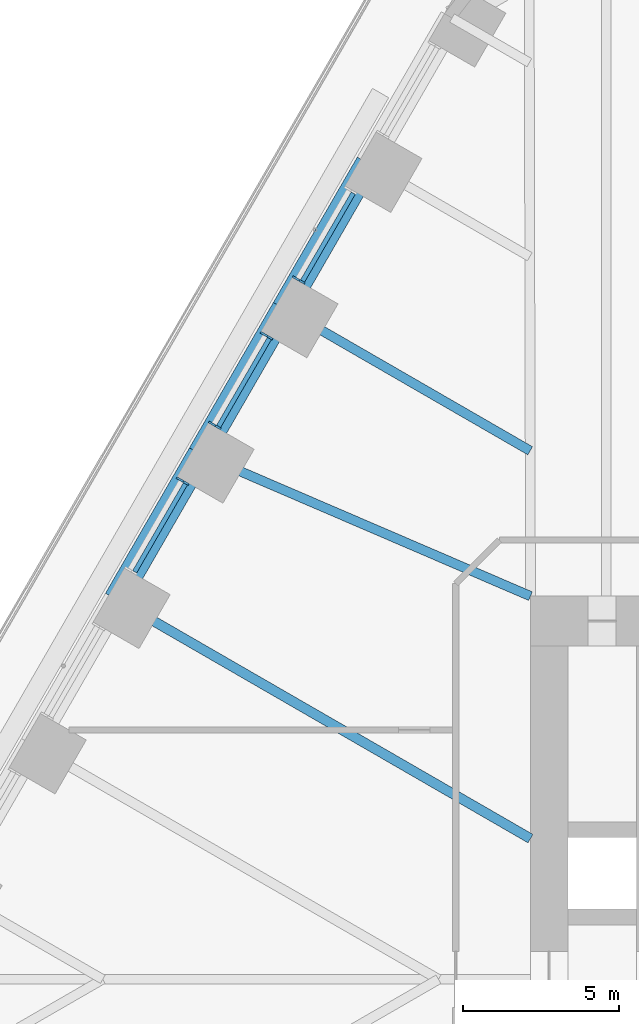
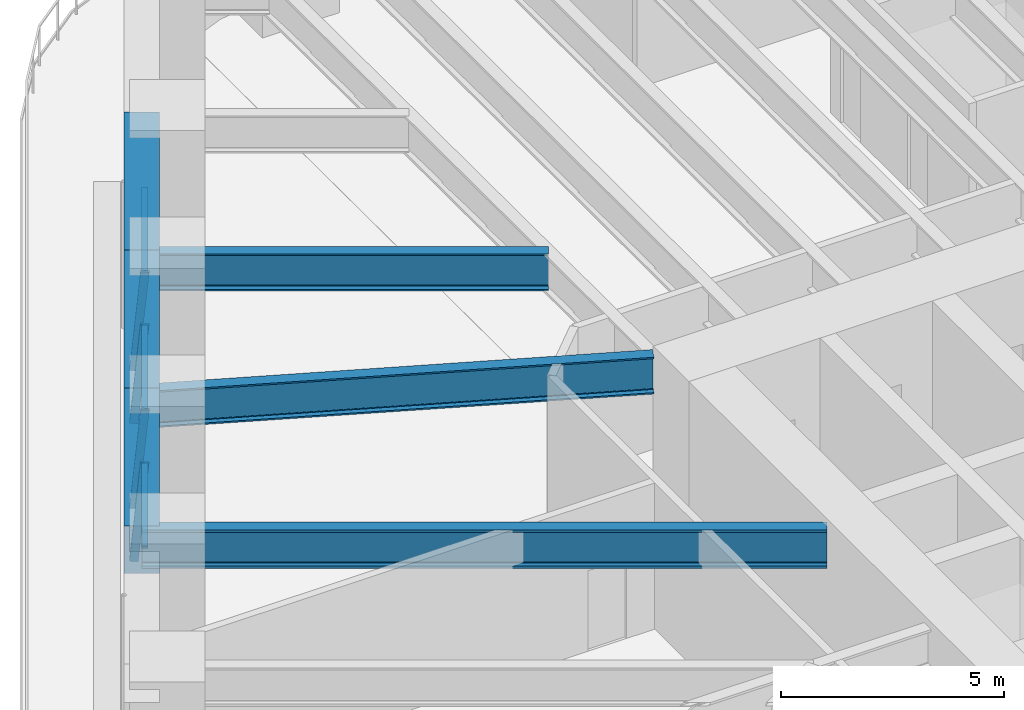
# One storey, part 8 of 24: 7 members, 6 beams, 3 elements without a shape of their own.
"""IFC4 building model written with IfcOpenShell, lengths in metres."""

from ifc_helpers import new_model, si_unit, direction, frame, origin, origin_2d, place, context, subcontext, project, spatial, rectangle, i_section, extrude, material, material_profile, profile_set, type_object, element, aggregate, save


model = new_model("IFC4")

# Units and contexts
model_context = context("Model", 3, precision=1e-05, world=origin(), true_north=direction((0.0, 1.0)))
body_context = subcontext(model_context, "Body", "Model", "MODEL_VIEW")
ifc_project = project(units=[si_unit("LENGTHUNIT", "METRE"), si_unit("AREAUNIT", "SQUARE_METRE"), si_unit("VOLUMEUNIT", "CUBIC_METRE"), si_unit("PLANEANGLEUNIT", "RADIAN"), si_unit("MASSUNIT", "GRAM", prefix="KILO")], contexts=[model_context])

# Site, building, storey
site_placement = place(None, origin())
site = spatial("IfcSite", under=ifc_project, at=site_placement, CompositionType="ELEMENT")
building_placement = place(site_placement, origin())
building = spatial("IfcBuilding", under=site, at=building_placement, Name="Tarfa Lantern Tower", CompositionType="ELEMENT")
storey_placement = place(building_placement, frame((0.0, 0.0, 73.89990234375)))
storey = spatial("IfcBuildingStorey", under=building, at=storey_placement, Name="L16", CompositionType="ELEMENT", Elevation=73.89990234375)

# Curtain wall, member
ifc_material_1 = material(Name="Aluminium framed curtain wall", Category="aluminium")
curtain_wall_type = type_object("IfcCurtainWallType", Name="CW1 CANTED GLAZING LOW ZONE 2700", PredefinedType="USERDEFINED", material=ifc_material_1)
curtain_wall_1_placement = place(storey_placement, origin())
curtain_wall_1 = element("IfcCurtainWall", 1, at=curtain_wall_1_placement, inside=storey, type_object=curtain_wall_type, Name="CW1 NW L16", ObjectType="CURTAIN WALL", PredefinedType="USERDEFINED")
ifc_material_2 = material(Name="Aluminium mullion", Category="aluminium")
ifc_material_profile_1 = material_profile(ifc_material_2, rectangle(XDim=0.06494140625, YDim=0.199951171875, at=origin_2d()), Name="AL MULLION 65x200")
ifc_profile_set_1 = profile_set([ifc_material_profile_1], Name="Aluminium mullion")
member_type_1 = type_object("IfcMemberType", Name="CWM1 MULLION 65x200", PredefinedType="MULLION", material=ifc_profile_set_1)
member_1_placement = place(storey_placement, frame((-26.147705078125, 22.5107421875, 0.0), z_axis=(0.079857261722, -0.046095736191, 0.995739926314), x_axis=(0.499919672301, 0.866071776036, 0.0)))
member_1 = element("IfcMember", 2, at=member_1_placement, type_object=member_type_1, Name="CW1 mullion 2", PredefinedType="MULLION", context=body_context, shape_type="SweptSolid", body=[
    extrude(rectangle(XDim=0.06494140625, YDim=0.199951171875, at=origin_2d()), origin(), (0.0, 0.0, 1.0), 2.711669921875),
])

# Curtain wall, members
curtain_wall_2_placement = place(storey_placement, origin())
curtain_wall_2 = element("IfcCurtainWall", 3, at=curtain_wall_2_placement, inside=storey, type_object=curtain_wall_type, Name="CW1 NW L16", ObjectType="CURTAIN WALL", PredefinedType="USERDEFINED")
member_2_placement = place(storey_placement, frame((-27.18017578125, 20.722412109375, 0.0), z_axis=(0.079857261722, -0.046095736191, 0.995739926314), x_axis=(0.499919672301, 0.866071776036, 0.0)))
member_2 = element("IfcMember", 4, at=member_2_placement, type_object=member_type_1, Name="CW1 mullion 1", PredefinedType="MULLION", context=body_context, shape_type="SweptSolid", body=[
    extrude(rectangle(XDim=0.06494140625, YDim=0.199951171875, at=origin_2d()), origin(), (0.0, 0.0, 1.0), 2.711669921875),
])
member_3_placement = place(storey_placement, frame((-28.842041015625, 17.84423828125, 0.0), z_axis=(0.079857261722, -0.046095736191, 0.995739926314), x_axis=(0.499919672301, 0.866071776036, 0.0)))
member_3 = element("IfcMember", 5, at=member_3_placement, type_object=member_type_1, Name="CW1 mullion 2", PredefinedType="MULLION", context=body_context, shape_type="SweptSolid", body=[
    extrude(rectangle(XDim=0.06494140625, YDim=0.199951171875, at=origin_2d()), origin(), (0.0, 0.0, 1.0), 2.711669921875),
])

# Curtain wall, member
curtain_wall_3_placement = place(storey_placement, origin())
curtain_wall_3 = element("IfcCurtainWall", 6, at=curtain_wall_3_placement, inside=storey, type_object=curtain_wall_type, Name="CW1 NW L16", ObjectType="CURTAIN WALL", PredefinedType="USERDEFINED")
member_4_placement = place(storey_placement, frame((-29.87451171875, 16.055908203125, 0.0), z_axis=(0.079857261722, -0.046095736191, 0.995739926314), x_axis=(0.499919672301, 0.866071776036, 0.0)))
member_4 = element("IfcMember", 7, at=member_4_placement, type_object=member_type_1, Name="CW1 mullion 1", PredefinedType="MULLION", context=body_context, shape_type="SweptSolid", body=[
    extrude(rectangle(XDim=0.06494140625, YDim=0.199951171875, at=origin_2d()), origin(), (0.0, 0.0, 1.0), 2.711669921875),
])

# Member
ifc_material_3 = material(Name="Aluminium transom", Category="aluminium")
ifc_material_profile_2 = material_profile(ifc_material_3, rectangle(XDim=0.14990234375, YDim=0.06494140625, at=origin_2d()), Name="AL TRANSOM 150x65")
ifc_profile_set_2 = profile_set([ifc_material_profile_2], Name="Aluminium transom")
member_type_2 = type_object("IfcMemberType", Name="CWT1 TRANSOM 150x65", PredefinedType="USERDEFINED", material=ifc_profile_set_2)
member_5_placement = place(storey_placement, frame((-24.288330078125, 25.237548828125, 2.66748046875), z_axis=(-0.499966746847, -0.86604460165, 0.0), x_axis=(0.86604460165, -0.499966746847, 0.0)))
member_5 = element("IfcMember", 8, at=member_5_placement, type_object=member_type_2, Name="CW1 transom 1.2", ObjectType="TRANSOM", PredefinedType="USERDEFINED", context=body_context, shape_type="SweptSolid", body=[
    extrude(rectangle(XDim=0.14990234375, YDim=0.06494140625, at=origin_2d()), origin(), (0.0, 0.0, 1.0), 3.258544921875),
])

aggregate(curtain_wall_1, [member_1, member_5])

member_6_placement = place(storey_placement, frame((-26.982666015625, 20.57080078125, 2.66748046875), z_axis=(-0.499966746847, -0.86604460165, 0.0), x_axis=(0.86604460165, -0.499966746847, 0.0)))
member_6 = element("IfcMember", 9, at=member_6_placement, type_object=member_type_2, Name="CW1 transom 1.2", ObjectType="TRANSOM", PredefinedType="USERDEFINED", context=body_context, shape_type="SweptSolid", body=[
    extrude(rectangle(XDim=0.14990234375, YDim=0.06494140625, at=origin_2d()), origin(), (0.0, 0.0, 1.0), 3.258544921875),
])

aggregate(curtain_wall_2, [member_2, member_3, member_6])

member_7_placement = place(storey_placement, frame((-29.6767578125, 15.904296875, 2.66748046875), z_axis=(-0.500022939057, -0.866012159509, 0.0), x_axis=(0.866012159509, -0.500022939057, 0.0)))
member_7 = element("IfcMember", 10, at=member_7_placement, type_object=member_type_2, Name="CW1 transom 1.2", ObjectType="TRANSOM", PredefinedType="USERDEFINED", context=body_context, shape_type="SweptSolid", body=[
    extrude(rectangle(XDim=0.14990234375, YDim=0.06494140625, at=origin_2d()), origin(), (0.0, 0.0, 1.0), 3.258544921875),
])

aggregate(curtain_wall_3, [member_4, member_7])

# Beams
ifc_material_4 = material(Name="Concrete C80/95", Category="concrete")
ifc_material_profile_3 = material_profile(ifc_material_4, rectangle(XDim=0.800048828125, YDim=1.300048828125, at=origin_2d()), Name="RC 800x1300")
ifc_profile_set_3 = profile_set([ifc_material_profile_3], Name="Concrete C80/95")
beam_type_1 = type_object("IfcBeamType", Name="EB1 RC 800x1300", PredefinedType="SPANDREL", material=ifc_profile_set_3)
beam_1_placement = place(storey_placement, frame((-23.813720703125, 26.193359375, 3.35009765625), z_axis=(-0.499998287579, -0.866026392449, 0.0), x_axis=(0.866026392449, -0.499998287579, 0.0)))
element("IfcBeam", 11, at=beam_1_placement, inside=storey, type_object=beam_type_1, Name="Edge beam NW1", PredefinedType="SPANDREL", context=body_context, shape_type="SweptSolid", body=[
    extrude(rectangle(XDim=0.800048828125, YDim=1.300048828125, at=origin_2d()), origin(), (0.0, 0.0, 1.0), 5.388671875),
])
beam_2_placement = place(storey_placement, frame((-26.508056640625, 21.526611328125, 3.35009765625), z_axis=(-0.500017906299, -0.866015065331, 0.0), x_axis=(0.866015065331, -0.500017906299, 0.0)))
element("IfcBeam", 12, at=beam_2_placement, inside=storey, type_object=beam_type_1, Name="Edge beam NW2", PredefinedType="SPANDREL", context=body_context, shape_type="SweptSolid", body=[
    extrude(rectangle(XDim=0.800048828125, YDim=1.300048828125, at=origin_2d()), origin(), (0.0, 0.0, 1.0), 5.388427734375),
])
beam_3_placement = place(storey_placement, frame((-29.202392578125, 16.860107421875, 3.35009765625), z_axis=(-0.499998287579, -0.866026392449, 0.0), x_axis=(0.866026392449, -0.499998287579, 0.0)))
element("IfcBeam", 13, at=beam_3_placement, inside=storey, type_object=beam_type_1, Name="Edge beam NW3", PredefinedType="SPANDREL", context=body_context, shape_type="SweptSolid", body=[
    extrude(rectangle(XDim=0.800048828125, YDim=1.300048828125, at=origin_2d()), origin(), (0.0, 0.0, 1.0), 5.388671875),
])
ifc_material_5 = material(Name="Steel S460M", Category="steel")
ifc_material_profile_4 = material_profile(ifc_material_5, i_section(OverallWidth=0.302001953125, OverallDepth=1.008056640625, WebThickness=0.02099609375, FlangeThickness=0.0400390625, FilletRadius=0.030029296875, at=origin_2d()), Name="UB1016x305x349")
ifc_profile_set_4 = profile_set([ifc_material_profile_4], Name="Steel S460M")
beam_type_2 = type_object("IfcBeamType", Name="UB1016x305x349", PredefinedType="BEAM", material=ifc_profile_set_4)
beam_4_placement = place(storey_placement, frame((-26.508056640625, 21.526611328125, 3.49609375), z_axis=(0.866035355799, -0.49998276221, 0.0), x_axis=(0.49998276221, 0.866035355799, 0.0)))
element("IfcBeam", 14, at=beam_4_placement, inside=storey, type_object=beam_type_2, Name="Floor beam NW2", PredefinedType="BEAM", context=body_context, shape_type="SweptSolid", body=[
    extrude(i_section(OverallWidth=0.302001953125, OverallDepth=1.008056640625, WebThickness=0.02099609375, FlangeThickness=0.0400390625, FilletRadius=0.030029296875, at=origin_2d()), origin(), (0.0, 0.0, 1.0), 9.119873046875),
])
beam_5_placement = place(storey_placement, frame((-29.202392578125, 16.860107421875, 3.49609375), z_axis=(0.918635483867, -0.395106122175, 0.0), x_axis=(0.395106122175, 0.918635483867, 0.0)))
element("IfcBeam", 15, at=beam_5_placement, inside=storey, type_object=beam_type_2, Name="Floor beam NW3", PredefinedType="BEAM", context=body_context, shape_type="SweptSolid", body=[
    extrude(i_section(OverallWidth=0.302001953125, OverallDepth=1.008056640625, WebThickness=0.02099609375, FlangeThickness=0.0400390625, FilletRadius=0.030029296875, at=origin_2d()), origin(), (0.0, 0.0, 1.0), 11.541259765625),
])
ifc_material_profile_5 = material_profile(ifc_material_5, i_section(OverallWidth=0.314208984375, OverallDepth=1.055908203125, WebThickness=0.035888671875, FlangeThickness=0.06396484375, FilletRadius=0.030029296875, at=origin_2d()), Name="UB1016x305x584")
ifc_profile_set_5 = profile_set([ifc_material_profile_5], Name="Steel S460M")
beam_type_3 = type_object("IfcBeamType", Name="UB1016x305x584", PredefinedType="BEAM", material=ifc_profile_set_5)
beam_6_placement = place(storey_placement, frame((-31.896728515625, 12.193359375, 3.47216796875), z_axis=(0.866026971665, -0.499997284341, 0.0), x_axis=(0.499997284341, 0.866026971665, 0.0)))
element("IfcBeam", 16, at=beam_6_placement, inside=storey, type_object=beam_type_3, Name="Floor beam NW4", PredefinedType="BEAM", context=body_context, shape_type="SweptSolid", body=[
    extrude(i_section(OverallWidth=0.314208984375, OverallDepth=1.055908203125, WebThickness=0.035888671875, FlangeThickness=0.06396484375, FilletRadius=0.030029296875, at=origin_2d()), origin(), (0.0, 0.0, 1.0), 15.353515625),
])

save(model, "model.ifc")
